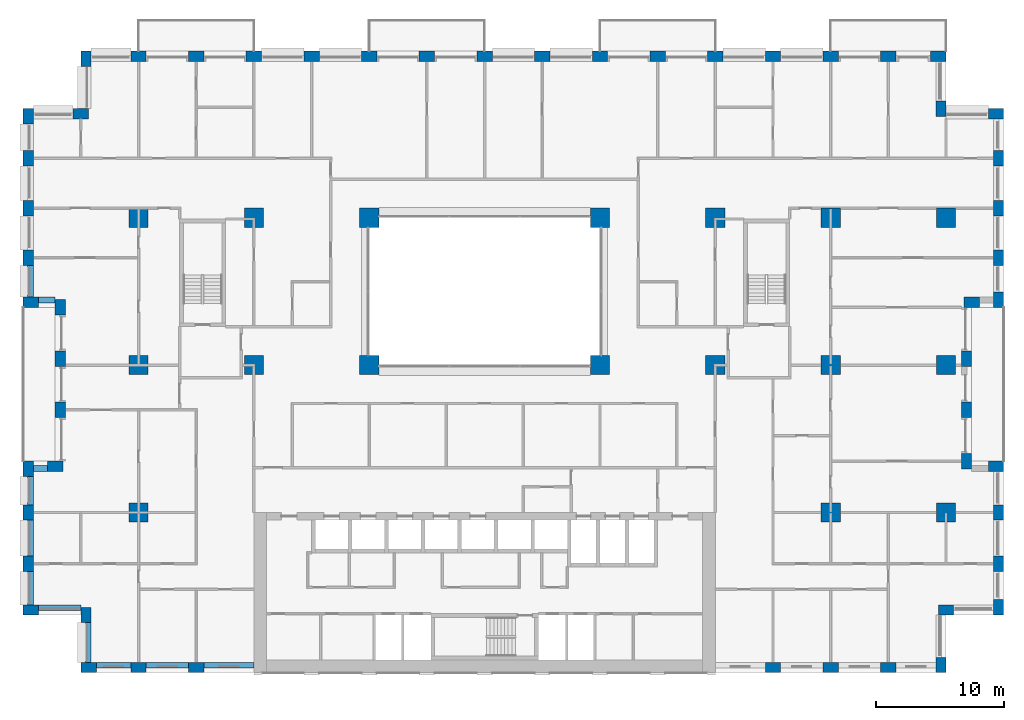
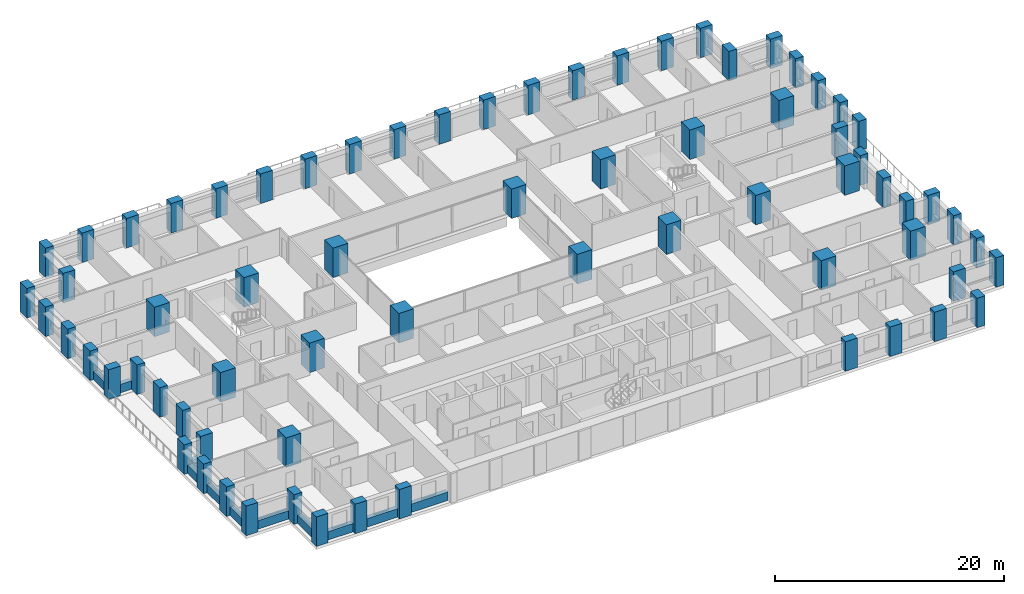
# One storey, part 1 of 19: 70 columns, 11 beams.
"""IFC4 building model written with IfcOpenShell, lengths in metres."""

from ifc_helpers import new_model, si_unit, direction, frame, origin, origin_2d, place, context, subcontext, project, spatial, rectangle, extrude, material, material_profile, profile_set, type_object, element, save


model = new_model("IFC4")

# Units and contexts
model_context = context("Model", 3, precision=1e-05, world=origin(), true_north=direction((0.0, 1.0)))
body_context = subcontext(model_context, "Body", "Model", "MODEL_VIEW")
ifc_project = project(units=[si_unit("LENGTHUNIT", "METRE"), si_unit("AREAUNIT", "SQUARE_METRE"), si_unit("VOLUMEUNIT", "CUBIC_METRE"), si_unit("PLANEANGLEUNIT", "RADIAN"), si_unit("MASSUNIT", "GRAM", prefix="KILO")], contexts=[model_context])

# Site, building, storey
site_placement = place(None, origin())
site = spatial("IfcSite", under=ifc_project, at=site_placement, CompositionType="ELEMENT")
building_placement = place(site_placement, origin())
building = spatial("IfcBuilding", under=site, at=building_placement, Name="Brigalow Station Residences", CompositionType="ELEMENT")
storey_placement = place(building_placement, frame((0.0, 0.0, 25.800048828125)))
storey = spatial("IfcBuildingStorey", under=building, at=storey_placement, Name="L06", CompositionType="ELEMENT", Elevation=25.800048828125)

# Columns
ifc_material_1 = material(Name="Concrete C80", Category="concrete")
ifc_material_profile_1 = material_profile(ifc_material_1, rectangle(XDim=1.5, YDim=1.5, at=origin_2d()), Name="RC1500x1500")
ifc_profile_set_1 = profile_set([ifc_material_profile_1], Name="Concrete C80")
column_type_1 = type_object("IfcColumnType", Name="COLUMN 1500x1500 C80", PredefinedType="COLUMN", material=ifc_profile_set_1)
for number, where, z_axis, x_axis, name in (
    (1, (9.0, 24.0, 0.0), (0.0, 0.0, 1.0), (1.0, 0.0, 0.0), "COLUMN C1 L06"),
    (2, (18.0, 24.0, 0.0), (0.0, 0.0, 1.0), (1.0, 0.0, 0.0), "COLUMN C2 L06"),
    (3, (27.0, 24.0, 0.0), (0.0, 0.0, 1.0), (1.0, 0.0, 0.0), "COLUMN C3 L06"),
    (4, (45.0, 24.0, 0.0), (0.0, 0.0, 1.0), (1.0, 0.0, 0.0), "COLUMN C5 L06"),
    (5, (54.0, 24.0, 0.0), (0.0, 0.0, 1.0), (1.0, 0.0, 0.0), "COLUMN C6 L06"),
    (6, (63.0, 24.0, 0.0), (0.0, 0.0, 1.0), (1.0, 0.0, 0.0), "COLUMN C7 L06"),
    (7, (72.0, 24.0, 0.0), (0.0, 0.0, 1.0), (1.0, 0.0, 0.0), "COLUMN C8 L06"),
    (8, (9.0, 35.5, 0.0), (0.0, 0.0, 1.0), (1.0, 0.0, 0.0), "COLUMN D1 L06"),
    (9, (18.0, 35.5, 0.0), (0.0, 0.0, 1.0), (1.0, 0.0, 0.0), "COLUMN D2 L06"),
    (10, (27.0, 35.5, 0.0), (0.0, 0.0, 1.0), (1.0, 0.0, 0.0), "COLUMN D3 L06"),
    (11, (45.0, 35.5, 0.0), (0.0, 0.0, 1.0), (1.0, 0.0, 0.0), "COLUMN D5 L06"),
    (12, (54.0, 35.5, 0.0), (0.0, 0.0, 1.0), (1.0, 0.0, 0.0), "COLUMN D6 L06"),
    (13, (63.0, 35.5, 0.0), (0.0, 0.0, 1.0), (1.0, 0.0, 0.0), "COLUMN D7 L06"),
    (14, (72.0, 35.5, 0.0), (0.0, 0.0, 1.0), (1.0, 0.0, 0.0), "COLUMN D8 L06"),
    (15, (9.0, 12.5, 0.0), (0.0, 0.0, 1.0), (1.0, 0.0, 0.0), "COLUMN B1 L06"),
    (16, (63.0, 12.5, 0.0), (0.0, 0.0, 1.0), (1.0, 0.0, 0.0), "COLUMN B7 L06"),
    (17, (72.0, 12.5, 0.0), (0.0, 0.0, 1.0), (1.0, 0.0, 0.0), "COLUMN B8 L06"),
):
    element("IfcColumn", number, at=place(storey_placement, frame(where, z_axis=z_axis, x_axis=x_axis)), inside=storey, type_object=column_type_1, Name=name, PredefinedType="COLUMN", context=body_context, shape_type="SweptSolid", body=[
        extrude(rectangle(XDim=1.5, YDim=1.5, at=origin_2d()), origin(), (0.0, 0.0, 1.0), 3.14990234375),
    ])
ifc_material_2 = material(Name="Concrete C80", Category="concrete")
ifc_material_profile_2 = material_profile(ifc_material_2, rectangle(XDim=1.199951171875, YDim=0.800048828125, at=origin_2d()), Name="RC1200x800")
ifc_profile_set_2 = profile_set([ifc_material_profile_2], Name="Concrete C80")
column_type_2 = type_object("IfcColumnType", Name="PIER 1200x800 C80", PredefinedType="USERDEFINED", material=ifc_profile_set_2)
for number, where, z_axis, x_axis, name in (
    (18, (5.10009765625, 0.39990234375, 0.0), (0.0, 0.0, 1.0), (1.0, 0.0, 0.0), "PIER S-1 L06"),
    (19, (9.0, 0.39990234375, 0.0), (0.0, 0.0, 1.0), (1.0, 0.0, 0.0), "PIER S-2 L06"),
    (20, (13.5, 0.39990234375, 0.0), (0.0, 0.0, 1.0), (1.0, 0.0, 0.0), "PIER S-3 L06"),
    (21, (58.5, 0.39990234375, 0.0), (0.0, 0.0, 1.0), (1.0, 0.0, 0.0), "PIER S-13 L06"),
    (22, (63.0, 0.39990234375, 0.0), (0.0, 0.0, 1.0), (1.0, 0.0, 0.0), "PIER S-14 L06"),
    (23, (67.5, 0.39990234375, 0.0), (0.0, 0.0, 1.0), (1.0, 0.0, 0.0), "PIER S-15 L06"),
    (24, (71.60009765625, 0.60009765625, 0.0), (0.0, 0.0, 1.0), (0.0, 1.0, 0.0), "PIER SE1-1 L06"),
    (25, (72.0, 4.89990234375, 0.0), (0.0, 0.0, 1.0), (1.0, 0.0, 0.0), "PIER SE2-1 L06"),
    (26, (76.10009765625, 5.10009765625, 0.0), (0.0, 0.0, 1.0), (0.0, 1.0, 0.0), "PIER E1-1 L06"),
    (27, (76.10009765625, 8.5, 0.0), (0.0, 0.0, 1.0), (0.0, 1.0, 0.0), "PIER E1-2 L06"),
    (28, (76.10009765625, 12.5, 0.0), (0.0, 0.0, 1.0), (0.0, 1.0, 0.0), "PIER E1-3 L06"),
    (29, (75.89990234375, 16.10009765625, 0.0), (0.0, 0.0, 1.0), (-1.0, 0.0, 0.0), "PIER EL1-1 L06"),
    (30, (73.60009765625, 16.5, 0.0), (0.0, 0.0, 1.0), (0.0, 1.0, 0.0), "PIER EL2-1 L06"),
    (31, (73.60009765625, 20.5, 0.0), (0.0, 0.0, 1.0), (0.0, 1.0, 0.0), "PIER EL2-2 L06"),
    (32, (73.60009765625, 24.5, 0.0), (0.0, 0.0, 1.0), (0.0, 1.0, 0.0), "PIER EL2-3 L06"),
    (33, (74.0, 28.89990234375, 0.0), (0.0, 0.0, 1.0), (1.0, 0.0, 0.0), "PIER EL3-1 L06"),
    (34, (76.10009765625, 29.10009765625, 0.0), (0.0, 0.0, 1.0), (0.0, 1.0, 0.0), "PIER E2-1 L06"),
    (35, (76.10009765625, 32.375, 0.0), (0.0, 0.0, 1.0), (0.0, 1.0, 0.0), "PIER E2-2 L06"),
    (36, (76.10009765625, 36.25, 0.0), (0.0, 0.0, 1.0), (0.0, 1.0, 0.0), "PIER E2-3 L06"),
    (37, (76.10009765625, 40.125, 0.0), (0.0, 0.0, 1.0), (0.0, 1.0, 0.0), "PIER E2-4 L06"),
    (38, (75.89990234375, 43.60009765625, 0.0), (0.0, 0.0, 1.0), (-1.0, 0.0, 0.0), "PIER NE1-1 L06"),
    (39, (71.60009765625, 44.0, 0.0), (0.0, 0.0, 1.0), (0.0, 1.0, 0.0), "PIER NE2-1 L06"),
    (40, (71.39990234375, 48.10009765625, 0.0), (0.0, 0.0, 1.0), (-1.0, 0.0, 0.0), "PIER N-1 L06"),
    (41, (67.5, 48.10009765625, 0.0), (0.0, 0.0, 1.0), (-1.0, 0.0, 0.0), "PIER N-2 L06"),
    (42, (63.0, 48.10009765625, 0.0), (0.0, 0.0, 1.0), (-1.0, 0.0, 0.0), "PIER N-3 L06"),
    (43, (58.5, 48.10009765625, 0.0), (0.0, 0.0, 1.0), (-1.0, 0.0, 0.0), "PIER N-4 L06"),
    (44, (54.0, 48.10009765625, 0.0), (0.0, 0.0, 1.0), (-1.0, 0.0, 0.0), "PIER N-5 L06"),
    (45, (49.5, 48.10009765625, 0.0), (0.0, 0.0, 1.0), (-1.0, 0.0, 0.0), "PIER N-6 L06"),
    (46, (45.0, 48.10009765625, 0.0), (0.0, 0.0, 1.0), (-1.0, 0.0, 0.0), "PIER N-7 L06"),
    (47, (40.5, 48.10009765625, 0.0), (0.0, 0.0, 1.0), (-1.0, 0.0, 0.0), "PIER N-8 L06"),
    (48, (36.0, 48.10009765625, 0.0), (0.0, 0.0, 1.0), (-1.0, 0.0, 0.0), "PIER N-9 L06"),
    (49, (31.5, 48.10009765625, 0.0), (0.0, 0.0, 1.0), (-1.0, 0.0, 0.0), "PIER N-10 L06"),
    (50, (27.0, 48.10009765625, 0.0), (0.0, 0.0, 1.0), (-1.0, 0.0, 0.0), "PIER N-11 L06"),
    (51, (22.5, 48.10009765625, 0.0), (0.0, 0.0, 1.0), (-1.0, 0.0, 0.0), "PIER N-12 L06"),
    (52, (18.0, 48.10009765625, 0.0), (0.0, 0.0, 1.0), (-1.0, 0.0, 0.0), "PIER N-13 L06"),
    (53, (13.5, 48.10009765625, 0.0), (0.0, 0.0, 1.0), (-1.0, 0.0, 0.0), "PIER N-14 L06"),
    (54, (9.0, 48.10009765625, 0.0), (0.0, 0.0, 1.0), (-1.0, 0.0, 0.0), "PIER N-15 L06"),
    (55, (4.89990234375, 47.89990234375, 0.0), (0.0, 0.0, 1.0), (0.0, -1.0, 0.0), "PIER NW1-1 L06"),
    (56, (4.5, 43.60009765625, 0.0), (0.0, 0.0, 1.0), (-1.0, 0.0, 0.0), "PIER NW2-1 L06"),
    (57, (0.39990234375, 43.39990234375, 0.0), (0.0, 0.0, 1.0), (0.0, -1.0, 0.0), "PIER W2-1 L06"),
    (58, (0.39990234375, 40.125, 0.0), (0.0, 0.0, 1.0), (0.0, -1.0, 0.0), "PIER W2-2 L06"),
    (59, (0.39990234375, 36.25, 0.0), (0.0, 0.0, 1.0), (0.0, -1.0, 0.0), "PIER W2-3 L06"),
    (60, (0.39990234375, 32.375, 0.0), (0.0, 0.0, 1.0), (0.0, -1.0, 0.0), "PIER W2-4 L06"),
    (61, (0.60009765625, 28.89990234375, 0.0), (0.0, 0.0, 1.0), (1.0, 0.0, 0.0), "PIER WL1-1 L06"),
    (62, (2.89990234375, 28.5, 0.0), (0.0, 0.0, 1.0), (0.0, -1.0, 0.0), "PIER WL2-1 L06"),
    (63, (2.89990234375, 24.5, 0.0), (0.0, 0.0, 1.0), (0.0, -1.0, 0.0), "PIER WL2-2 L06"),
    (64, (2.89990234375, 20.5, 0.0), (0.0, 0.0, 1.0), (0.0, -1.0, 0.0), "PIER WL2-3 L06"),
    (65, (2.5, 16.10009765625, 0.0), (0.0, 0.0, 1.0), (-1.0, 0.0, 0.0), "PIER WL3-1 L06"),
    (66, (0.39990234375, 15.89990234375, 0.0), (0.0, 0.0, 1.0), (0.0, -1.0, 0.0), "PIER W1-1 L06"),
    (67, (0.39990234375, 12.5, 0.0), (0.0, 0.0, 1.0), (0.0, -1.0, 0.0), "PIER W1-2 L06"),
    (68, (0.39990234375, 8.5, 0.0), (0.0, 0.0, 1.0), (0.0, -1.0, 0.0), "PIER W1-3 L06"),
    (69, (0.60009765625, 4.89990234375, 0.0), (0.0, 0.0, 1.0), (1.0, 0.0, 0.0), "PIER SW1-1 L06"),
    (70, (4.89990234375, 4.5, 0.0), (0.0, 0.0, 1.0), (0.0, -1.0, 0.0), "PIER SW2-1 L06"),
):
    element("IfcColumn", number, at=place(storey_placement, frame(where, z_axis=z_axis, x_axis=x_axis)), inside=storey, type_object=column_type_2, Name=name, ObjectType="PIER", PredefinedType="USERDEFINED", context=body_context, shape_type="SweptSolid", body=[
        extrude(rectangle(XDim=1.199951171875, YDim=0.800048828125, at=origin_2d()), origin(), (0.0, 0.0, 1.0), 3.14990234375),
    ])

# Beams
ifc_material_3 = material(Name="Concrete C65", Category="concrete")
ifc_material_profile_3 = material_profile(ifc_material_3, rectangle(XDim=0.449951171875, YDim=0.89990234375, at=origin_2d()), Name="RC450x900")
ifc_profile_set_3 = profile_set([ifc_material_profile_3], Name="Concrete C65")
beam_type = type_object("IfcBeamType", Name="SPANDREL BEAM 450x900 C65", PredefinedType="SPANDREL", material=ifc_profile_set_3)
beam_1_placement = place(storey_placement, frame((5.699951171875, 0.574951171875, 0.449951171875), z_axis=(1.0, 0.0, 0.0), x_axis=(0.0, 1.0, 0.0)))
element("IfcBeam", 71, at=beam_1_placement, inside=storey, type_object=beam_type, Name="L06/spandrel/W-L06-1", PredefinedType="SPANDREL", context=body_context, shape_type="SweptSolid", body=[
    extrude(rectangle(XDim=0.449951171875, YDim=0.89990234375, at=origin_2d()), origin(), (0.0, 0.0, 1.0), 2.699951171875),
])
beam_2_placement = place(storey_placement, frame((9.60009765625, 0.574951171875, 0.449951171875), z_axis=(1.0, 0.0, 0.0), x_axis=(0.0, 1.0, 0.0)))
element("IfcBeam", 72, at=beam_2_placement, inside=storey, type_object=beam_type, Name="L06/spandrel/W-L06-2", PredefinedType="SPANDREL", context=body_context, shape_type="SweptSolid", body=[
    extrude(rectangle(XDim=0.449951171875, YDim=0.89990234375, at=origin_2d()), origin(), (0.0, 0.0, 1.0), 3.2998046875),
])
beam_3_placement = place(storey_placement, frame((14.10009765625, 0.574951171875, 0.449951171875), z_axis=(1.0, 0.0, 0.0), x_axis=(0.0, 1.0, 0.0)))
element("IfcBeam", 73, at=beam_3_placement, inside=storey, type_object=beam_type, Name="L06/spandrel/W-L06-3", PredefinedType="SPANDREL", context=body_context, shape_type="SweptSolid", body=[
    extrude(rectangle(XDim=0.449951171875, YDim=0.89990234375, at=origin_2d()), origin(), (0.0, 0.0, 1.0), 3.89990234375),
])
beam_4_placement = place(storey_placement, frame((0.574951171875, 31.77490234375, 0.449951171875), z_axis=(0.0, -1.0, 0.0), x_axis=(1.0, 0.0, 0.0)))
element("IfcBeam", 74, at=beam_4_placement, inside=storey, type_object=beam_type, Name="L06/spandrel/W-L06-45", PredefinedType="SPANDREL", context=body_context, shape_type="SweptSolid", body=[
    extrude(rectangle(XDim=0.449951171875, YDim=0.89990234375, at=origin_2d()), origin(), (0.0, 0.0, 1.0), 2.474853515625),
])
beam_5_placement = place(storey_placement, frame((1.199951171875, 29.074951171875, 0.449951171875), z_axis=(1.0, 0.0, 0.0), x_axis=(0.0, 1.0, 0.0)))
element("IfcBeam", 75, at=beam_5_placement, inside=storey, type_object=beam_type, Name="L06/spandrel/W-L06-46", PredefinedType="SPANDREL", context=body_context, shape_type="SweptSolid", body=[
    extrude(rectangle(XDim=0.449951171875, YDim=0.89990234375, at=origin_2d()), origin(), (0.0, 0.0, 1.0), 1.300048828125),
])
beam_6_placement = place(storey_placement, frame((1.89990234375, 15.925048828125, 0.449951171875), z_axis=(-1.0, 0.0, 0.0), x_axis=(0.0, -1.0, 0.0)))
element("IfcBeam", 76, at=beam_6_placement, inside=storey, type_object=beam_type, Name="L06/spandrel/W-L06-50", PredefinedType="SPANDREL", context=body_context, shape_type="SweptSolid", body=[
    extrude(rectangle(XDim=0.449951171875, YDim=0.89990234375, at=origin_2d()), origin(), (0.0, 0.0, 1.0), 1.099853515625),
])
beam_7_placement = place(storey_placement, frame((0.574951171875, 15.300048828125, 0.449951171875), z_axis=(0.0, -1.0, 0.0), x_axis=(1.0, 0.0, 0.0)))
element("IfcBeam", 77, at=beam_7_placement, inside=storey, type_object=beam_type, Name="L06/spandrel/W-L06-51", PredefinedType="SPANDREL", context=body_context, shape_type="SweptSolid", body=[
    extrude(rectangle(XDim=0.449951171875, YDim=0.89990234375, at=origin_2d()), origin(), (0.0, 0.0, 1.0), 2.199951171875),
])
beam_8_placement = place(storey_placement, frame((0.574951171875, 11.89990234375, 0.449951171875), z_axis=(0.0, -1.0, 0.0), x_axis=(1.0, 0.0, 0.0)))
element("IfcBeam", 78, at=beam_8_placement, inside=storey, type_object=beam_type, Name="L06/spandrel/W-L06-52", PredefinedType="SPANDREL", context=body_context, shape_type="SweptSolid", body=[
    extrude(rectangle(XDim=0.449951171875, YDim=0.89990234375, at=origin_2d()), origin(), (0.0, 0.0, 1.0), 2.7998046875),
])
beam_9_placement = place(storey_placement, frame((0.574951171875, 7.89990234375, 0.449951171875), z_axis=(0.0, -1.0, 0.0), x_axis=(1.0, 0.0, 0.0)))
element("IfcBeam", 79, at=beam_9_placement, inside=storey, type_object=beam_type, Name="L06/spandrel/W-L06-53", PredefinedType="SPANDREL", context=body_context, shape_type="SweptSolid", body=[
    extrude(rectangle(XDim=0.449951171875, YDim=0.89990234375, at=origin_2d()), origin(), (0.0, 0.0, 1.0), 2.599853515625),
])
beam_10_placement = place(storey_placement, frame((1.199951171875, 5.074951171875, 0.449951171875), z_axis=(1.0, 0.0, 0.0), x_axis=(0.0, 1.0, 0.0)))
element("IfcBeam", 80, at=beam_10_placement, inside=storey, type_object=beam_type, Name="L06/spandrel/W-L06-54", PredefinedType="SPANDREL", context=body_context, shape_type="SweptSolid", body=[
    extrude(rectangle(XDim=0.449951171875, YDim=0.89990234375, at=origin_2d()), origin(), (0.0, 0.0, 1.0), 3.300048828125),
])
beam_11_placement = place(storey_placement, frame((5.074951171875, 3.89990234375, 0.449951171875), z_axis=(0.0, -1.0, 0.0), x_axis=(1.0, 0.0, 0.0)))
element("IfcBeam", 81, at=beam_11_placement, inside=storey, type_object=beam_type, Name="L06/spandrel/W-L06-55", PredefinedType="SPANDREL", context=body_context, shape_type="SweptSolid", body=[
    extrude(rectangle(XDim=0.449951171875, YDim=0.89990234375, at=origin_2d()), origin(), (0.0, 0.0, 1.0), 3.099853515625),
])

save(model, "model.ifc")
